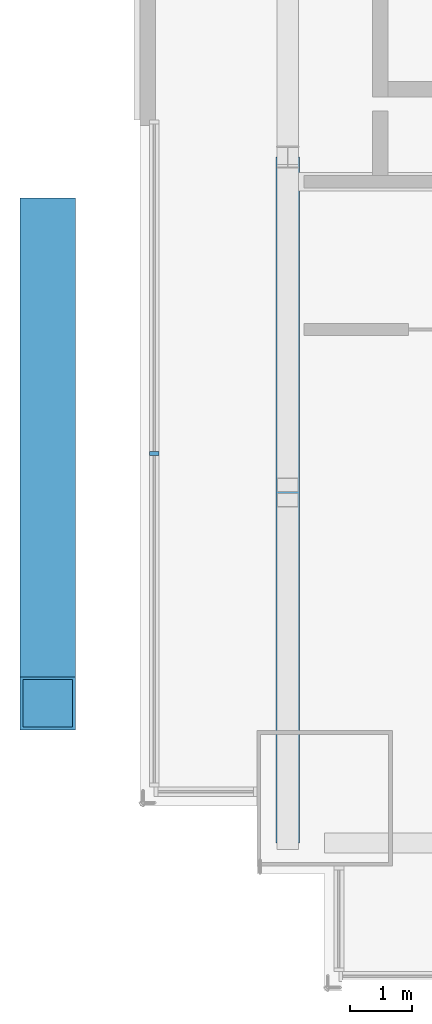
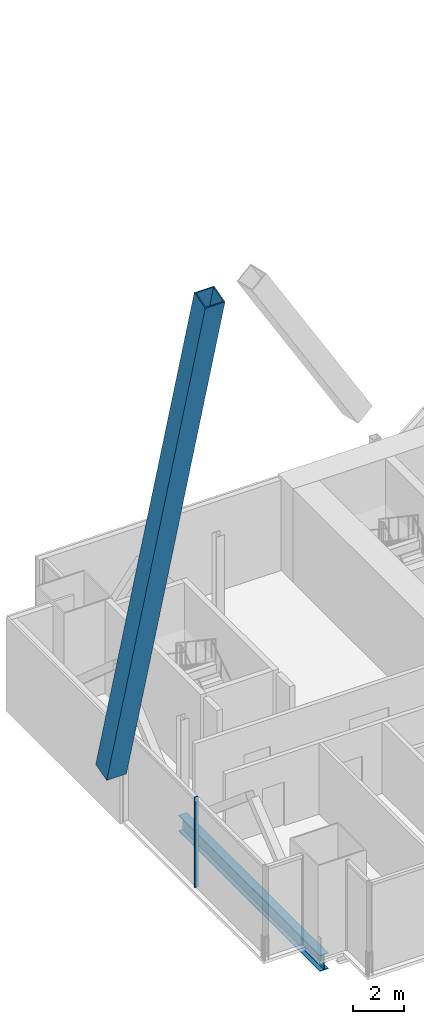
# One storey, part 6 of 22: 2 members, 1 beam, 1 element without a shape of its own.
"""IFC4 building model written with IfcOpenShell, lengths in metres."""

from ifc_helpers import new_model, si_unit, direction, frame, origin, origin_2d, place, context, subcontext, project, spatial, rectangle, hollow_rectangle, i_section, extrude, material, material_profile, profile_set, type_object, element, aggregate, save


model = new_model("IFC4")

# Units and contexts
model_context = context("Model", 3, precision=1e-05, world=origin(), true_north=direction((0.0, 1.0)))
body_context = subcontext(model_context, "Body", "Model", "MODEL_VIEW")
ifc_project = project(units=[si_unit("LENGTHUNIT", "METRE"), si_unit("AREAUNIT", "SQUARE_METRE"), si_unit("VOLUMEUNIT", "CUBIC_METRE"), si_unit("PLANEANGLEUNIT", "RADIAN"), si_unit("MASSUNIT", "GRAM", prefix="KILO")], contexts=[model_context])

# Site, building, storey
site_placement = place(None, origin())
site = spatial("IfcSite", under=ifc_project, at=site_placement, CompositionType="ELEMENT")
building_placement = place(site_placement, origin())
building = spatial("IfcBuilding", under=site, at=building_placement, Name="Bicima Exchange Tower", CompositionType="ELEMENT")
storey_placement = place(building_placement, frame((0.0, 0.0, 315.5)))
storey = spatial("IfcBuildingStorey", under=building, at=storey_placement, Name="L71", CompositionType="ELEMENT", Elevation=315.5)

# Curtain wall, member
ifc_material_1 = material(Name="Anodised bronze aluminium", Category="aluminium")
curtain_wall_type = type_object("IfcCurtainWallType", Name="End face glass wall", PredefinedType="NOTDEFINED", material=ifc_material_1)
curtain_wall_placement = place(storey_placement, origin())
curtain_wall = element("IfcCurtainWall", 1, at=curtain_wall_placement, inside=storey, type_object=curtain_wall_type, Name="End face glass wall L71 run 2", PredefinedType="NOTDEFINED")
ifc_material_profile_1 = material_profile(ifc_material_1, rectangle(XDim=0.159912109375, YDim=0.06005859375, at=origin_2d()))
ifc_profile_set_1 = profile_set([ifc_material_profile_1], Name="Anodised bronze aluminium")
member_type_1 = type_object("IfcMemberType", Name="End face glass wall mullion 60 x 160", PredefinedType="MULLION", material=ifc_profile_set_1)
member_1_placement = place(storey_placement, frame((-35.77001953125, -17.4150390625, 0.0), z_axis=(0.0, 0.0, 1.0), x_axis=(1.0, 0.0, 0.0)))
member_1 = element("IfcMember", 2, at=member_1_placement, type_object=member_type_1, Name="End face glass wall mullion 2", PredefinedType="MULLION", context=body_context, shape_type="SweptSolid", body=[
    extrude(rectangle(XDim=0.159912109375, YDim=0.06005859375, at=origin_2d()), origin(), (0.0, 0.0, 1.0), 4.35009765625),
])
aggregate(curtain_wall, [member_1])

# Beam
ifc_material_2 = material(Name="Steel ASTM A992 Gr 50", Category="steel")
ifc_material_profile_2 = material_profile(ifc_material_2, i_section(OverallWidth=0.381103515625, OverallDepth=0.772216796875, WebThickness=0.0166015625, FlangeThickness=0.027099609375, at=origin_2d()))
ifc_profile_set_2 = profile_set([ifc_material_profile_2], Name="Steel ASTM A992 Gr 50")
beam_type = type_object("IfcBeamType", Name="End girder W30x173", PredefinedType="BEAM", material=ifc_profile_set_2)
beam_placement = place(storey_placement, frame((-33.60009765625, -12.60009765625, -0.5361328125), z_axis=(0.0, -1.0, 0.0), x_axis=(1.0, 0.0, 0.0)))
element("IfcBeam", 3, at=beam_placement, inside=storey, type_object=beam_type, Name="End girder", PredefinedType="BEAM", context=body_context, shape_type="SweptSolid", body=[
    extrude(i_section(OverallWidth=0.381103515625, OverallDepth=0.772216796875, WebThickness=0.0166015625, FlangeThickness=0.027099609375, at=origin_2d()), origin(), (0.0, 0.0, 1.0), 11.139892578125),
])

# Member
ifc_material_3 = material(Name="Steel ASTM A572 Gr 50", Category="steel")
ifc_material_profile_3 = material_profile(ifc_material_3, hollow_rectangle(XDim=0.89990234375, YDim=0.89990234375, WallThickness=0.050048828125, at=origin_2d()))
ifc_profile_set_3 = profile_set([ifc_material_profile_3], Name="Steel ASTM A572 Gr 50")
member_type_2 = type_object("IfcMemberType", Name="Exo mega brace BOX 900x900x50", PredefinedType="BRACE", material=ifc_profile_set_3)
member_2_placement = place(storey_placement, frame((-37.5, -13.7001953125, 4.02490234375), z_axis=(0.0, -0.27273985883, 0.962087817928), x_axis=(1.0, 0.0, 0.0)))
element("IfcMember", 4, at=member_2_placement, inside=storey, type_object=member_type_2, Name="Exo mega brace end", PredefinedType="BRACE", context=body_context, shape_type="SweptSolid", body=[
    extrude(hollow_rectangle(XDim=0.89990234375, YDim=0.89990234375, WallThickness=0.050048828125, at=origin_2d()), origin(), (0.0, 0.0, 1.0), 28.505859375),
])

save(model, "model.ifc")
